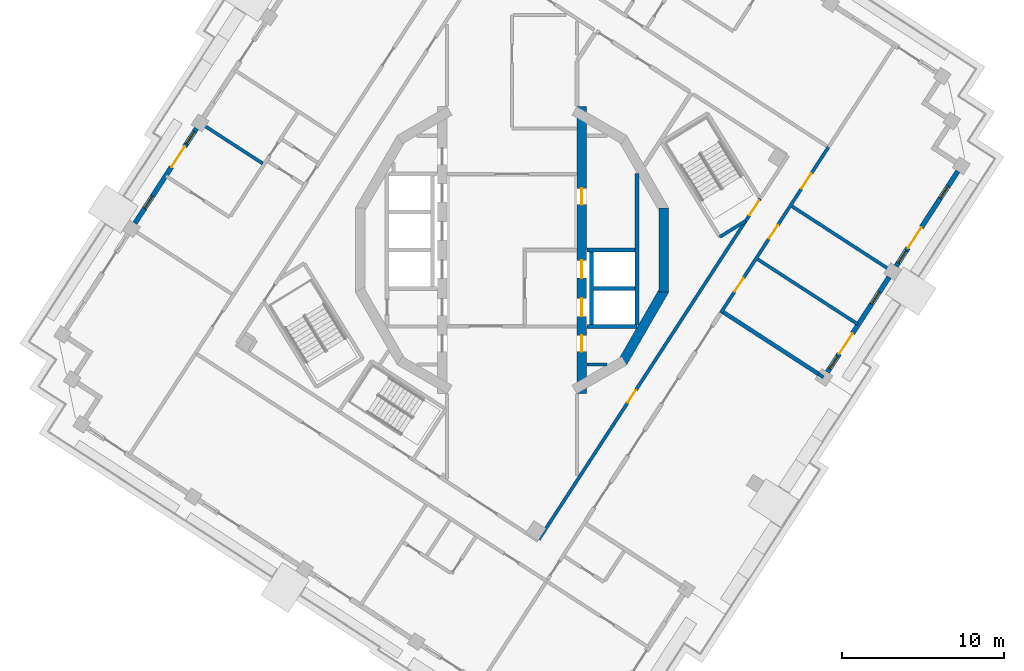
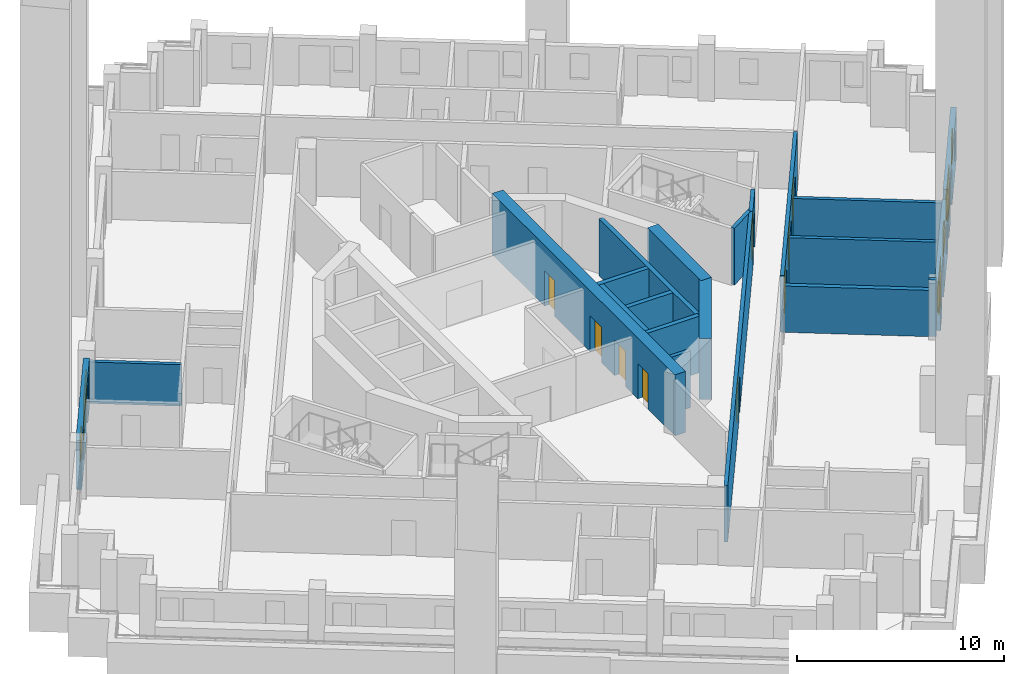
# One storey, part 5 of 15: 21 walls, 12 doors, 6 windows, 18 openings.
"""IFC4 building model written with IfcOpenShell, lengths in metres."""

from ifc_helpers import new_model, si_unit, direction, frame, frame_2d, origin, place, context, subcontext, project, spatial, rectangle, extrude, material, layer, layer_set, type_object, element, fill, save


model = new_model("IFC4")

# Units and contexts
model_context = context("Model", 3, precision=1e-05, world=origin(), true_north=direction((0.0, 1.0)))
body_context = subcontext(model_context, "Body", "Model", "MODEL_VIEW")
ifc_project = project(units=[si_unit("LENGTHUNIT", "METRE"), si_unit("AREAUNIT", "SQUARE_METRE"), si_unit("VOLUMEUNIT", "CUBIC_METRE"), si_unit("PLANEANGLEUNIT", "RADIAN"), si_unit("MASSUNIT", "GRAM", prefix="KILO")], contexts=[model_context])

# Site, building, storey
site_placement = place(None, origin())
site = spatial("IfcSite", under=ifc_project, at=site_placement, CompositionType="ELEMENT")
building_placement = place(site_placement, origin())
building = spatial("IfcBuilding", under=site, at=building_placement, Name="Cantera Rosa Tower", CompositionType="ELEMENT")
storey_placement = place(building_placement, frame((0.0, 0.0, 250.5)))
storey = spatial("IfcBuildingStorey", under=building, at=storey_placement, Name="L55", CompositionType="ELEMENT", Elevation=250.5)

# Wall, opening, door
ifc_material_1 = material(Name="Gypsum board partition")
ifc_layer_1 = layer(ifc_material_1, 0.199951171875)
ifc_layer_set_1 = layer_set([ifc_layer_1], Name="CORRIDOR WALL 200 H3350")
wall_type_1 = type_object("IfcWallType", Name="CORRIDOR WALL 200 H3350", PredefinedType="PARTITIONING", material=ifc_layer_set_1)
wall_1_placement = place(storey_placement, frame((1.656982421875, -17.828857421875, 0.0), z_axis=(0.0, 0.0, 1.0), x_axis=(0.544640309195, 0.838669740482, 0.0)))
wall_1 = element("IfcWall", 1, at=wall_1_placement, inside=storey, type_object=wall_type_1, Name="CORRIDOR WALL L55-057", PredefinedType="PARTITIONING", context=body_context, shape_type="SweptSolid", body=[
    extrude(rectangle(XDim=23.1552734375, YDim=0.199951171875, at=frame_2d((11.57763671875, 0.0))), origin(), (0.0, 0.0, 1.0), 3.35009765625),
])
opening_1_placement = place(wall_1_placement, frame((10.060791015625, 0.0, 0.0)))
opening_1 = element("IfcOpeningElement", 2, at=opening_1_placement, cuts=wall_1, Name="Opening L55-006", PredefinedType="OPENING", context=body_context, shape_type="SweptSolid", body=[
    extrude(rectangle(XDim=0.89990234375, YDim=2.10009765625, at=frame_2d((0.449951171875, 1.050048828125))), frame((0.0, 0.10986328125, 0.0), z_axis=(0.0, -1.0, 0.0), x_axis=(1.0, 0.0, 0.0)), (0.0, 0.0, 1.0), 0.219970703125),
])
ifc_material_2 = material(Name="Timber door leaf", Category="wood")
door_type_1 = type_object("IfcDoorType", Name="SERVICE DOOR 900x2100", OperationType="NOTDEFINED", PredefinedType="DOOR", material=ifc_material_2)
door_1_placement = place(opening_1_placement, origin())
door_1 = element("IfcDoor", 3, at=door_1_placement, inside=storey, type_object=door_type_1, Name="DOOR L55-006", OperationType="NOTDEFINED", OverallHeight=2.10009765625, OverallWidth=0.89990234375, PredefinedType="DOOR", context=body_context, shape_type="SweptSolid", body=[
    extrude(rectangle(XDim=0.89990234375, YDim=2.10009765625, at=frame_2d((0.449951171875, 1.050048828125))), frame((0.0, 0.02490234375, 0.0), z_axis=(0.0, -1.0, 0.0), x_axis=(1.0, 0.0, 0.0)), (0.0, 0.0, 1.0), 0.050048828125),
])
fill(opening_1, door_1)

# Wall, openings, doors
wall_2_placement = place(storey_placement, frame((12.869384765625, -3.8681640625, 0.0), z_axis=(0.0, 0.0, 1.0), x_axis=(0.544640401501, 0.838669680537, 0.0)))
wall_2 = element("IfcWall", 4, at=wall_2_placement, inside=storey, type_object=wall_type_1, Name="CORRIDOR WALL L55-060", PredefinedType="PARTITIONING", context=body_context, shape_type="SweptSolid", body=[
    extrude(rectangle(XDim=12.18505859375, YDim=0.199951171875, at=frame_2d((6.092529296875, 0.0))), origin(), (0.0, 0.0, 1.0), 3.35009765625),
])
opening_2_placement = place(wall_2_placement, frame((1.570068359375, 0.0, 0.0)))
opening_2 = element("IfcOpeningElement", 5, at=opening_2_placement, cuts=wall_2, Name="Opening L55-041", PredefinedType="OPENING", context=body_context, shape_type="SweptSolid", body=[
    extrude(rectangle(XDim=1.0, YDim=2.10009765625, at=frame_2d((0.5, 1.050048828125))), frame((0.0, 0.10986328125, 0.0), z_axis=(0.0, -1.0, 0.0), x_axis=(1.0, 0.0, 0.0)), (0.0, 0.0, 1.0), 0.219970703125),
])
opening_3_placement = place(wall_2_placement, frame((5.4599609375, 0.0, 0.0)))
opening_3 = element("IfcOpeningElement", 6, at=opening_3_placement, cuts=wall_2, Name="Opening L55-042", PredefinedType="OPENING", context=body_context, shape_type="SweptSolid", body=[
    extrude(rectangle(XDim=1.0, YDim=2.10009765625, at=frame_2d((0.5, 1.050048828125))), frame((0.0, 0.10986328125, 0.0), z_axis=(0.0, -1.0, 0.0), x_axis=(1.0, 0.0, 0.0)), (0.0, 0.0, 1.0), 0.219970703125),
])
opening_4_placement = place(wall_2_placement, frame((9.135009765625, 0.0, 0.0)))
opening_4 = element("IfcOpeningElement", 7, at=opening_4_placement, cuts=wall_2, Name="Opening L55-046", PredefinedType="OPENING", context=body_context, shape_type="SweptSolid", body=[
    extrude(rectangle(XDim=1.10009765625, YDim=2.10009765625, at=frame_2d((0.550048828125, 1.050048828125))), frame((0.0, 0.10986328125, 0.0), z_axis=(0.0, -1.0, 0.0), x_axis=(1.0, 0.0, 0.0)), (0.0, 0.0, 1.0), 0.219970703125),
])
ifc_material_3 = material(Name="Timber door leaf", Category="wood")
door_type_2 = type_object("IfcDoorType", Name="ROOM DOOR 1000x2100", OperationType="NOTDEFINED", PredefinedType="DOOR", material=ifc_material_3)
door_2_placement = place(opening_2_placement, origin())
door_2 = element("IfcDoor", 8, at=door_2_placement, inside=storey, type_object=door_type_2, Name="DOOR L55-041", OperationType="NOTDEFINED", OverallHeight=2.10009765625, OverallWidth=1.0, PredefinedType="DOOR", context=body_context, shape_type="SweptSolid", body=[
    extrude(rectangle(XDim=1.0, YDim=2.10009765625, at=frame_2d((0.5, 1.050048828125))), frame((0.0, 0.02490234375, 0.0), z_axis=(0.0, -1.0, 0.0), x_axis=(1.0, 0.0, 0.0)), (0.0, 0.0, 1.0), 0.050048828125),
])
fill(opening_2, door_2)
door_3_placement = place(opening_3_placement, origin())
door_3 = element("IfcDoor", 9, at=door_3_placement, inside=storey, type_object=door_type_2, Name="DOOR L55-042", OperationType="NOTDEFINED", OverallHeight=2.10009765625, OverallWidth=1.0, PredefinedType="DOOR", context=body_context, shape_type="SweptSolid", body=[
    extrude(rectangle(XDim=1.0, YDim=2.10009765625, at=frame_2d((0.5, 1.050048828125))), frame((0.0, 0.02490234375, 0.0), z_axis=(0.0, -1.0, 0.0), x_axis=(1.0, 0.0, 0.0)), (0.0, 0.0, 1.0), 0.050048828125),
])
fill(opening_3, door_3)
ifc_material_4 = material(Name="Timber door leaf", Category="wood")
door_type_3 = type_object("IfcDoorType", Name="ROOM DOOR 1100x2100", OperationType="NOTDEFINED", PredefinedType="DOOR", material=ifc_material_4)
door_4_placement = place(opening_4_placement, origin())
door_4 = element("IfcDoor", 10, at=door_4_placement, inside=storey, type_object=door_type_3, Name="DOOR L55-046", OperationType="NOTDEFINED", OverallHeight=2.10009765625, OverallWidth=1.10009765625, PredefinedType="DOOR", context=body_context, shape_type="SweptSolid", body=[
    extrude(rectangle(XDim=1.10009765625, YDim=2.10009765625, at=frame_2d((0.550048828125, 1.050048828125))), frame((0.0, 0.02490234375, 0.0), z_axis=(0.0, -1.0, 0.0), x_axis=(1.0, 0.0, 0.0)), (0.0, 0.0, 1.0), 0.050048828125),
])
fill(opening_4, door_4)

# Wall, openings, windows, door
ifc_material_5 = material(Name="Hollow clay masonry with cantera stone cladding", Category="masonry")
ifc_layer_2 = layer(ifc_material_5, 0.300048828125)
ifc_layer_set_2 = layer_set([ifc_layer_2], Name="EW-LOGGIA 300 H2890")
wall_type_2 = type_object("IfcWallType", Name="EW-LOGGIA 300 H2890", PredefinedType="SOLIDWALL", material=ifc_layer_set_2)
wall_3_placement = place(storey_placement, frame((-19.4453125, 7.5126953125, 0.0), z_axis=(0.0, 0.0, 1.0), x_axis=(-0.544667428764, -0.838652128146, 0.0)))
wall_3 = element("IfcWall", 11, at=wall_3_placement, inside=storey, type_object=wall_type_2, Name="EN-L55-W10", PredefinedType="SOLIDWALL", context=body_context, shape_type="SweptSolid", body=[
    extrude(rectangle(XDim=6.97998046875, YDim=0.300048828125, at=frame_2d((3.489990234375, 0.0))), origin(), (0.0, 0.0, 1.0), 2.889892578125),
])
opening_5_placement = place(wall_3_placement, frame((0.2451171875, 0.0, 0.89990234375)))
opening_5 = element("IfcOpeningElement", 12, at=opening_5_placement, cuts=wall_3, Name="Opening L55-W22", PredefinedType="OPENING", context=body_context, shape_type="SweptSolid", body=[
    extrude(rectangle(XDim=0.89990234375, YDim=1.5, at=frame_2d((0.449951171875, 0.75))), frame((0.0, 0.159912109375, 0.0), z_axis=(0.0, -1.0, 0.0), x_axis=(1.0, 0.0, 0.0)), (0.0, 0.0, 1.0), 0.320068359375),
])
opening_6_placement = place(wall_3_placement, frame((1.344970703125, 0.0, 0.0)))
opening_6 = element("IfcOpeningElement", 13, at=opening_6_placement, cuts=wall_3, Name="Opening L55-TD23", PredefinedType="OPENING", context=body_context, shape_type="SweptSolid", body=[
    extrude(rectangle(XDim=1.5, YDim=2.39990234375, at=frame_2d((0.75, 1.199951171875))), frame((0.0, 0.159912109375, 0.0), z_axis=(0.0, -1.0, 0.0), x_axis=(1.0, 0.0, 0.0)), (0.0, 0.0, 1.0), 0.320068359375),
])
opening_7_placement = place(wall_3_placement, frame((4.985107421875, 0.0, 0.89990234375)))
opening_7 = element("IfcOpeningElement", 14, at=opening_7_placement, cuts=wall_3, Name="Opening L55-W24", PredefinedType="OPENING", context=body_context, shape_type="SweptSolid", body=[
    extrude(rectangle(XDim=0.89990234375, YDim=1.5, at=frame_2d((0.449951171875, 0.75))), frame((0.0, 0.159912109375, 0.0), z_axis=(0.0, -1.0, 0.0), x_axis=(1.0, 0.0, 0.0)), (0.0, 0.0, 1.0), 0.320068359375),
])
ifc_material_6 = material(Name="Aluminium frame with clear glass", Category="aluminium")
window_type = type_object("IfcWindowType", Name="Residential window 900x1500", PartitioningType="SINGLE_PANEL", PredefinedType="WINDOW", material=ifc_material_6)
window_1_placement = place(opening_5_placement, origin())
window_1 = element("IfcWindow", 15, at=window_1_placement, inside=storey, type_object=window_type, Name="WINDOW L55-W22", OverallHeight=1.5, OverallWidth=0.89990234375, PartitioningType="SINGLE_PANEL", PredefinedType="WINDOW", context=body_context, shape_type="SweptSolid", body=[
    extrude(rectangle(XDim=0.89990234375, YDim=1.5, at=frame_2d((0.449951171875, 0.75))), frame((0.0, 0.030029296875, 0.0), z_axis=(0.0, -1.0, 0.0), x_axis=(1.0, 0.0, 0.0)), (0.0, 0.0, 1.0), 0.06005859375),
])
fill(opening_5, window_1)
window_2_placement = place(opening_7_placement, origin())
window_2 = element("IfcWindow", 16, at=window_2_placement, inside=storey, type_object=window_type, Name="WINDOW L55-W24", OverallHeight=1.5, OverallWidth=0.89990234375, PartitioningType="SINGLE_PANEL", PredefinedType="WINDOW", context=body_context, shape_type="SweptSolid", body=[
    extrude(rectangle(XDim=0.89990234375, YDim=1.5, at=frame_2d((0.449951171875, 0.75))), frame((0.0, 0.030029296875, 0.0), z_axis=(0.0, -1.0, 0.0), x_axis=(1.0, 0.0, 0.0)), (0.0, 0.0, 1.0), 0.06005859375),
])
fill(opening_7, window_2)
ifc_material_7 = material(Name="Aluminium frame with clear glass", Category="aluminium")
door_type_4 = type_object("IfcDoorType", Name="TD-R 1500x2400", OperationType="NOTDEFINED", PredefinedType="DOOR", material=ifc_material_7)
door_5_placement = place(opening_6_placement, origin())
door_5 = element("IfcDoor", 17, at=door_5_placement, inside=storey, type_object=door_type_4, Name="LOGGIA DOOR L55-TD23", OperationType="SLIDING_TO_LEFT", OverallHeight=2.39990234375, OverallWidth=1.5, PredefinedType="DOOR", context=body_context, shape_type="SweptSolid", body=[
    extrude(rectangle(XDim=1.5, YDim=2.39990234375, at=frame_2d((0.75, 1.199951171875))), frame((0.0, 0.02490234375, 0.0), z_axis=(0.0, -1.0, 0.0), x_axis=(1.0, 0.0, 0.0)), (0.0, 0.0, 1.0), 0.050048828125),
])
fill(opening_6, door_5)

wall_4_placement = place(storey_placement, frame((19.4453125, -7.5126953125, 0.0), z_axis=(0.0, 0.0, 1.0), x_axis=(0.544667428764, 0.838652128146, 0.0)))
wall_4 = element("IfcWall", 18, at=wall_4_placement, inside=storey, type_object=wall_type_2, Name="EN-L55-W23", PredefinedType="SOLIDWALL", context=body_context, shape_type="SweptSolid", body=[
    extrude(rectangle(XDim=6.97998046875, YDim=0.300048828125, at=frame_2d((3.489990234375, 0.0))), origin(), (0.0, 0.0, 1.0), 2.889892578125),
])
opening_8_placement = place(wall_4_placement, frame((0.2451171875, 0.0, 0.89990234375)))
opening_8 = element("IfcOpeningElement", 19, at=opening_8_placement, cuts=wall_4, Name="Opening L55-W43", PredefinedType="OPENING", context=body_context, shape_type="SweptSolid", body=[
    extrude(rectangle(XDim=0.89990234375, YDim=1.5, at=frame_2d((0.449951171875, 0.75))), frame((0.0, 0.159912109375, 0.0), z_axis=(0.0, -1.0, 0.0), x_axis=(1.0, 0.0, 0.0)), (0.0, 0.0, 1.0), 0.320068359375),
])
opening_9_placement = place(wall_4_placement, frame((1.344970703125, 0.0, 0.0)))
opening_9 = element("IfcOpeningElement", 20, at=opening_9_placement, cuts=wall_4, Name="Opening L55-TD44", PredefinedType="OPENING", context=body_context, shape_type="SweptSolid", body=[
    extrude(rectangle(XDim=1.5, YDim=2.39990234375, at=frame_2d((0.75, 1.199951171875))), frame((0.0, 0.159912109375, 0.0), z_axis=(0.0, -1.0, 0.0), x_axis=(1.0, 0.0, 0.0)), (0.0, 0.0, 1.0), 0.320068359375),
])
opening_10_placement = place(wall_4_placement, frame((4.985107421875, 0.0, 0.89990234375)))
opening_10 = element("IfcOpeningElement", 21, at=opening_10_placement, cuts=wall_4, Name="Opening L55-W45", PredefinedType="OPENING", context=body_context, shape_type="SweptSolid", body=[
    extrude(rectangle(XDim=0.89990234375, YDim=1.5, at=frame_2d((0.449951171875, 0.75))), frame((0.0, 0.159912109375, 0.0), z_axis=(0.0, -1.0, 0.0), x_axis=(1.0, 0.0, 0.0)), (0.0, 0.0, 1.0), 0.320068359375),
])
window_3_placement = place(opening_8_placement, origin())
window_3 = element("IfcWindow", 22, at=window_3_placement, inside=storey, type_object=window_type, Name="WINDOW L55-W43", OverallHeight=1.5, OverallWidth=0.89990234375, PartitioningType="SINGLE_PANEL", PredefinedType="WINDOW", context=body_context, shape_type="SweptSolid", body=[
    extrude(rectangle(XDim=0.89990234375, YDim=1.5, at=frame_2d((0.449951171875, 0.75))), frame((0.0, 0.030029296875, 0.0), z_axis=(0.0, -1.0, 0.0), x_axis=(1.0, 0.0, 0.0)), (0.0, 0.0, 1.0), 0.06005859375),
])
fill(opening_8, window_3)
window_4_placement = place(opening_10_placement, origin())
window_4 = element("IfcWindow", 23, at=window_4_placement, inside=storey, type_object=window_type, Name="WINDOW L55-W45", OverallHeight=1.5, OverallWidth=0.89990234375, PartitioningType="SINGLE_PANEL", PredefinedType="WINDOW", context=body_context, shape_type="SweptSolid", body=[
    extrude(rectangle(XDim=0.89990234375, YDim=1.5, at=frame_2d((0.449951171875, 0.75))), frame((0.0, 0.030029296875, 0.0), z_axis=(0.0, -1.0, 0.0), x_axis=(1.0, 0.0, 0.0)), (0.0, 0.0, 1.0), 0.06005859375),
])
fill(opening_10, window_4)
door_6_placement = place(opening_9_placement, origin())
door_6 = element("IfcDoor", 24, at=door_6_placement, inside=storey, type_object=door_type_4, Name="LOGGIA DOOR L55-TD44", OperationType="SLIDING_TO_LEFT", OverallHeight=2.39990234375, OverallWidth=1.5, PredefinedType="DOOR", context=body_context, shape_type="SweptSolid", body=[
    extrude(rectangle(XDim=1.5, YDim=2.39990234375, at=frame_2d((0.75, 1.199951171875))), frame((0.0, 0.02490234375, 0.0), z_axis=(0.0, -1.0, 0.0), x_axis=(1.0, 0.0, 0.0)), (0.0, 0.0, 1.0), 0.050048828125),
])
fill(opening_9, door_6)

wall_5_placement = place(storey_placement, frame((23.6826171875, -0.98779296875, 0.0), z_axis=(0.0, 0.0, 1.0), x_axis=(0.544667428764, 0.838652128146, 0.0)))
wall_5 = element("IfcWall", 25, at=wall_5_placement, inside=storey, type_object=wall_type_2, Name="EN-L55-W24", PredefinedType="SOLIDWALL", context=body_context, shape_type="SweptSolid", body=[
    extrude(rectangle(XDim=6.97998046875, YDim=0.300048828125, at=frame_2d((3.489990234375, 0.0))), origin(), (0.0, 0.0, 1.0), 2.889892578125),
])
opening_11_placement = place(wall_5_placement, frame((0.2451171875, 0.0, 0.89990234375)))
opening_11 = element("IfcOpeningElement", 26, at=opening_11_placement, cuts=wall_5, Name="Opening L55-W46", PredefinedType="OPENING", context=body_context, shape_type="SweptSolid", body=[
    extrude(rectangle(XDim=0.89990234375, YDim=1.5, at=frame_2d((0.449951171875, 0.75))), frame((0.0, 0.159912109375, 0.0), z_axis=(0.0, -1.0, 0.0), x_axis=(1.0, 0.0, 0.0)), (0.0, 0.0, 1.0), 0.320068359375),
])
opening_12_placement = place(wall_5_placement, frame((1.344970703125, 0.0, 0.0)))
opening_12 = element("IfcOpeningElement", 27, at=opening_12_placement, cuts=wall_5, Name="Opening L55-TD47", PredefinedType="OPENING", context=body_context, shape_type="SweptSolid", body=[
    extrude(rectangle(XDim=1.5, YDim=2.39990234375, at=frame_2d((0.75, 1.199951171875))), frame((0.0, 0.159912109375, 0.0), z_axis=(0.0, -1.0, 0.0), x_axis=(1.0, 0.0, 0.0)), (0.0, 0.0, 1.0), 0.320068359375),
])
opening_13_placement = place(wall_5_placement, frame((4.985107421875, 0.0, 0.89990234375)))
opening_13 = element("IfcOpeningElement", 28, at=opening_13_placement, cuts=wall_5, Name="Opening L55-W48", PredefinedType="OPENING", context=body_context, shape_type="SweptSolid", body=[
    extrude(rectangle(XDim=0.89990234375, YDim=1.5, at=frame_2d((0.449951171875, 0.75))), frame((0.0, 0.159912109375, 0.0), z_axis=(0.0, -1.0, 0.0), x_axis=(1.0, 0.0, 0.0)), (0.0, 0.0, 1.0), 0.320068359375),
])
window_5_placement = place(opening_11_placement, origin())
window_5 = element("IfcWindow", 29, at=window_5_placement, inside=storey, type_object=window_type, Name="WINDOW L55-W46", OverallHeight=1.5, OverallWidth=0.89990234375, PartitioningType="SINGLE_PANEL", PredefinedType="WINDOW", context=body_context, shape_type="SweptSolid", body=[
    extrude(rectangle(XDim=0.89990234375, YDim=1.5, at=frame_2d((0.449951171875, 0.75))), frame((0.0, 0.030029296875, 0.0), z_axis=(0.0, -1.0, 0.0), x_axis=(1.0, 0.0, 0.0)), (0.0, 0.0, 1.0), 0.06005859375),
])
fill(opening_11, window_5)
window_6_placement = place(opening_13_placement, origin())
window_6 = element("IfcWindow", 30, at=window_6_placement, inside=storey, type_object=window_type, Name="WINDOW L55-W48", OverallHeight=1.5, OverallWidth=0.89990234375, PartitioningType="SINGLE_PANEL", PredefinedType="WINDOW", context=body_context, shape_type="SweptSolid", body=[
    extrude(rectangle(XDim=0.89990234375, YDim=1.5, at=frame_2d((0.449951171875, 0.75))), frame((0.0, 0.030029296875, 0.0), z_axis=(0.0, -1.0, 0.0), x_axis=(1.0, 0.0, 0.0)), (0.0, 0.0, 1.0), 0.06005859375),
])
fill(opening_13, window_6)
door_7_placement = place(opening_12_placement, origin())
door_7 = element("IfcDoor", 31, at=door_7_placement, inside=storey, type_object=door_type_4, Name="LOGGIA DOOR L55-TD47", OperationType="SLIDING_TO_LEFT", OverallHeight=2.39990234375, OverallWidth=1.5, PredefinedType="DOOR", context=body_context, shape_type="SweptSolid", body=[
    extrude(rectangle(XDim=1.5, YDim=2.39990234375, at=frame_2d((0.75, 1.199951171875))), frame((0.0, 0.02490234375, 0.0), z_axis=(0.0, -1.0, 0.0), x_axis=(1.0, 0.0, 0.0)), (0.0, 0.0, 1.0), 0.050048828125),
])
fill(opening_12, door_7)

# Walls
ifc_material_8 = material(Name="Concrete C40/50", Category="concrete")
ifc_layer_3 = layer(ifc_material_8, 0.25)
ifc_layer_set_3 = layer_set([ifc_layer_3], Name="EW-POCKET CHEEK 250 H2735")
wall_type_3 = type_object("IfcWallType", Name="EW-POCKET CHEEK 250 H2735", PredefinedType="SOLIDWALL", material=ifc_layer_set_3)
wall_6_placement = place(storey_placement, frame((18.89208984375, -7.63037109375, 0.0), z_axis=(0.0, 0.0, 1.0), x_axis=(-0.838665071449, 0.544647498784, 0.0)))
element("IfcWall", 32, at=wall_6_placement, inside=storey, type_object=wall_type_3, Name="POCKET CHEEK B L55", PredefinedType="SOLIDWALL", context=body_context, shape_type="SweptSolid", body=[
    extrude(rectangle(XDim=7.0, YDim=0.25, at=frame_2d((3.5, 0.0))), origin(), (0.0, 0.0, 1.0), 2.735107421875),
])
ifc_material_9 = material(Name="Gypsum board partition")
ifc_layer_4 = layer(ifc_material_9, 0.199951171875)
ifc_layer_set_4 = layer_set([ifc_layer_4], Name="PARTITION 200 H2450")
wall_type_4 = type_object("IfcWallType", Name="PARTITION 200 H2450", PredefinedType="PARTITIONING", material=ifc_layer_set_4)
wall_7_placement = place(storey_placement, frame((-15.36962890625, 5.343017578125, 0.0), z_axis=(0.0, 0.0, 1.0), x_axis=(-0.838696184812, 0.544599586469, 0.0)))
element("IfcWall", 33, at=wall_7_placement, inside=storey, type_object=wall_type_4, Name="PARTITION L55-010", PredefinedType="PARTITIONING", context=body_context, shape_type="SweptSolid", body=[
    extrude(rectangle(XDim=4.56982421875, YDim=0.199951171875, at=frame_2d((2.284912109375, 0.0))), origin(), (0.0, 0.0, 1.0), 2.449951171875),
])
wall_8_placement = place(storey_placement, frame((17.275390625, 2.696044921875, 0.0), z_axis=(0.0, 0.0, 1.0), x_axis=(0.838684106336, -0.544618187155, 0.0)))
element("IfcWall", 34, at=wall_8_placement, inside=storey, type_object=wall_type_4, Name="PARTITION L55-096", PredefinedType="PARTITIONING", context=body_context, shape_type="SweptSolid", body=[
    extrude(rectangle(XDim=7.349853515625, YDim=0.199951171875, at=frame_2d((3.6748046875, 0.0))), origin(), (0.0, 0.0, 1.0), 2.449951171875),
])
ifc_material_10 = material(Name="Gypsum board partition")
ifc_layer_5 = layer(ifc_material_10, 0.199951171875)
ifc_layer_set_5 = layer_set([ifc_layer_5], Name="PARTITION 200 H2850")
wall_type_5 = type_object("IfcWallType", Name="PARTITION 200 H2850", PredefinedType="PARTITIONING", material=ifc_layer_set_5)
wall_9_placement = place(storey_placement, frame((15.15673828125, -0.56640625, 0.0), z_axis=(0.0, 0.0, 1.0), x_axis=(0.838684106336, -0.544618187155, 0.0)))
element("IfcWall", 35, at=wall_9_placement, inside=storey, type_object=wall_type_5, Name="PARTITION L55-092", PredefinedType="PARTITIONING", context=body_context, shape_type="SweptSolid", body=[
    extrude(rectangle(XDim=7.349853515625, YDim=0.199951171875, at=frame_2d((3.6748046875, 0.0))), origin(), (0.0, 0.0, 1.0), 2.85009765625),
])
ifc_material_11 = material(Name="Gypsum board partition")
ifc_layer_6 = layer(ifc_material_11, 0.199951171875)
ifc_layer_set_6 = layer_set([ifc_layer_6], Name="PARTITION 200 H3350")
wall_type_6 = type_object("IfcWallType", Name="PARTITION 200 H3350", PredefinedType="PARTITIONING", material=ifc_layer_set_6)
wall_10_placement = place(storey_placement, frame((5.84765625, -7.050048828125, 0.0), z_axis=(0.0, 0.0, 1.0), x_axis=(-1.0, 0.0, 0.0)))
element("IfcWall", 36, at=wall_10_placement, inside=storey, type_object=wall_type_6, Name="PARTITION L55-077", PredefinedType="PARTITIONING", context=body_context, shape_type="SweptSolid", body=[
    extrude(rectangle(XDim=1.2177734375, YDim=0.199951171875, at=frame_2d((0.60888671875, 0.0))), origin(), (0.0, 0.0, 1.0), 3.35009765625),
])
wall_11_placement = place(storey_placement, frame((19.202392578125, -7.831787109375, 0.0), z_axis=(0.0, 0.0, 1.0), x_axis=(-0.838790236691, 0.544454716971, 0.0)))
element("IfcWall", 37, at=wall_11_placement, inside=storey, type_object=wall_type_6, Name="PARTITION L55-097", PredefinedType="PARTITIONING", context=body_context, shape_type="SweptSolid", body=[
    extrude(rectangle(XDim=0.369873046875, YDim=0.199951171875, at=frame_2d((0.18505859375, 0.0))), origin(), (0.0, 0.0, 1.0), 3.35009765625),
])
ifc_material_12 = material(Name="Concrete C50/60", Category="concrete")
ifc_layer_7 = layer(ifc_material_12, 0.60009765625)
ifc_layer_set_7 = layer_set([ifc_layer_7], Name="RC CORE WALL 600 C50/60")
wall_type_7 = type_object("IfcWallType", Name="RC CORE WALL 600 C50/60", PredefinedType="SHEAR", material=ifc_layer_set_7)
for number, where, z_axis, x_axis, name in (
    (38, (9.359375, 2.588134765625, 0.0), (0.0, 0.0, 1.0), (0.0, -1.0, 0.0), "CW-E3 L55"),
    (39, (9.3994140625, -2.438232421875, 0.0), (0.0, 0.0, 1.0), (-0.499989188378, -0.866031645787, 0.0), "CW-E4 L55"),
):
    element("IfcWall", number, at=place(storey_placement, frame(where, z_axis=z_axis, x_axis=x_axis)), inside=storey, type_object=wall_type_7, Name=name, PredefinedType="SHEAR", context=body_context, shape_type="SweptSolid", body=[
        extrude(rectangle(XDim=5.17626953125, YDim=0.60009765625, at=frame_2d((2.588134765625, 0.0))), origin(), (0.0, 0.0, 1.0), 3.60009765625),
    ])

# Wall, openings, doors
wall_12_placement = place(storey_placement, frame((4.300048828125, -8.84423828125, 0.0), z_axis=(0.0, 0.0, 1.0), x_axis=(0.0, 1.0, 0.0)))
wall_12 = element("IfcWall", 40, at=wall_12_placement, inside=storey, type_object=wall_type_7, Name="CW-E6 L55", PredefinedType="SHEAR", context=body_context, shape_type="SweptSolid", body=[
    extrude(rectangle(XDim=17.6884765625, YDim=0.60009765625, at=frame_2d((8.84423828125, 0.0))), origin(), (0.0, 0.0, 1.0), 3.60009765625),
])
opening_14_placement = place(wall_12_placement, frame((4.76904296875, 0.0, 0.0)))
opening_14 = element("IfcOpeningElement", 41, at=opening_14_placement, cuts=wall_12, Name="Opening LD-FF1-L55", PredefinedType="OPENING", context=body_context, shape_type="SweptSolid", body=[
    extrude(rectangle(XDim=1.10009765625, YDim=2.10009765625, at=frame_2d((0.550048828125, 1.050048828125))), frame((0.0, 0.31005859375, 0.0), z_axis=(0.0, -1.0, 0.0), x_axis=(1.0, 0.0, 0.0)), (0.0, 0.0, 1.0), 0.6201171875),
])
opening_15_placement = place(wall_12_placement, frame((7.119140625, 0.0, 0.0)))
opening_15 = element("IfcOpeningElement", 42, at=opening_15_placement, cuts=wall_12, Name="Opening LD-FF2-L55", PredefinedType="OPENING", context=body_context, shape_type="SweptSolid", body=[
    extrude(rectangle(XDim=1.10009765625, YDim=2.10009765625, at=frame_2d((0.550048828125, 1.050048828125))), frame((0.0, 0.31005859375, 0.0), z_axis=(0.0, -1.0, 0.0), x_axis=(1.0, 0.0, 0.0)), (0.0, 0.0, 1.0), 0.6201171875),
])
opening_16_placement = place(wall_12_placement, frame((2.5966796875, 0.0, 0.0)))
opening_16 = element("IfcOpeningElement", 43, at=opening_16_placement, cuts=wall_12, Name="Opening SD-L55-17", PredefinedType="OPENING", context=body_context, shape_type="SweptSolid", body=[
    extrude(rectangle(XDim=1.0, YDim=2.10009765625, at=frame_2d((0.5, 1.050048828125))), frame((0.0, 0.31005859375, 0.0), z_axis=(0.0, -1.0, 0.0), x_axis=(1.0, 0.0, 0.0)), (0.0, 0.0, 1.0), 0.6201171875),
])
opening_17_placement = place(wall_12_placement, frame((11.6494140625, 0.0, 0.0)))
opening_17 = element("IfcOpeningElement", 44, at=opening_17_placement, cuts=wall_12, Name="Opening SD-L55-18", PredefinedType="OPENING", context=body_context, shape_type="SweptSolid", body=[
    extrude(rectangle(XDim=1.0, YDim=2.10009765625, at=frame_2d((0.5, 1.050048828125))), frame((0.0, 0.31005859375, 0.0), z_axis=(0.0, -1.0, 0.0), x_axis=(1.0, 0.0, 0.0)), (0.0, 0.0, 1.0), 0.6201171875),
])
ifc_material_13 = material(Name="Steel S355J2 (EN 10025-2)", Category="steel")
door_type_5 = type_object("IfcDoorType", Name="LANDING DOOR 1100x2100", OperationType="NOTDEFINED", PredefinedType="DOOR", material=ifc_material_13)
door_8_placement = place(opening_14_placement, origin())
door_8 = element("IfcDoor", 45, at=door_8_placement, inside=storey, type_object=door_type_5, Name="LANDING DOOR FF1 L55", OperationType="SLIDING_TO_LEFT", OverallHeight=2.10009765625, OverallWidth=1.10009765625, PredefinedType="DOOR", context=body_context, shape_type="SweptSolid", body=[
    extrude(rectangle(XDim=1.10009765625, YDim=2.10009765625, at=frame_2d((0.550048828125, 1.050048828125))), frame((0.0, 0.02490234375, 0.0), z_axis=(0.0, -1.0, 0.0), x_axis=(1.0, 0.0, 0.0)), (0.0, 0.0, 1.0), 0.050048828125),
])
fill(opening_14, door_8)
door_9_placement = place(opening_15_placement, origin())
door_9 = element("IfcDoor", 46, at=door_9_placement, inside=storey, type_object=door_type_5, Name="LANDING DOOR FF2 L55", OperationType="SLIDING_TO_LEFT", OverallHeight=2.10009765625, OverallWidth=1.10009765625, PredefinedType="DOOR", context=body_context, shape_type="SweptSolid", body=[
    extrude(rectangle(XDim=1.10009765625, YDim=2.10009765625, at=frame_2d((0.550048828125, 1.050048828125))), frame((0.0, 0.02490234375, 0.0), z_axis=(0.0, -1.0, 0.0), x_axis=(1.0, 0.0, 0.0)), (0.0, 0.0, 1.0), 0.050048828125),
])
fill(opening_15, door_9)
ifc_material_14 = material(Name="Timber door leaf", Category="wood")
door_type_6 = type_object("IfcDoorType", Name="SERVICE DOOR 1000x2100", OperationType="NOTDEFINED", PredefinedType="DOOR", material=ifc_material_14)
door_10_placement = place(opening_16_placement, origin())
door_10 = element("IfcDoor", 47, at=door_10_placement, inside=storey, type_object=door_type_6, Name="DOOR L55-SD17", OperationType="NOTDEFINED", OverallHeight=2.10009765625, OverallWidth=1.0, PredefinedType="DOOR", context=body_context, shape_type="SweptSolid", body=[
    extrude(rectangle(XDim=1.0, YDim=2.10009765625, at=frame_2d((0.5, 1.050048828125))), frame((0.0, 0.02490234375, 0.0), z_axis=(0.0, -1.0, 0.0), x_axis=(1.0, 0.0, 0.0)), (0.0, 0.0, 1.0), 0.050048828125),
])
fill(opening_16, door_10)
door_11_placement = place(opening_17_placement, origin())
door_11 = element("IfcDoor", 48, at=door_11_placement, inside=storey, type_object=door_type_6, Name="DOOR L55-SD18", OperationType="NOTDEFINED", OverallHeight=2.10009765625, OverallWidth=1.0, PredefinedType="DOOR", context=body_context, shape_type="SweptSolid", body=[
    extrude(rectangle(XDim=1.0, YDim=2.10009765625, at=frame_2d((0.5, 1.050048828125))), frame((0.0, 0.02490234375, 0.0), z_axis=(0.0, -1.0, 0.0), x_axis=(1.0, 0.0, 0.0)), (0.0, 0.0, 1.0), 0.050048828125),
])
fill(opening_17, door_11)

# Walls
ifc_material_15 = material(Name="Masonry blockwork", Category="masonry")
ifc_layer_8 = layer(ifc_material_15, 0.25)
ifc_layer_set_8 = layer_set([ifc_layer_8], Name="SHAFT WALL 250 H3350")
wall_type_8 = type_object("IfcWallType", Name="SHAFT WALL 250 H3350", PredefinedType="SOLIDWALL", material=ifc_layer_set_8)
wall_13_placement = place(storey_placement, frame((4.6298828125, 0.0, 0.0), z_axis=(0.0, 0.0, 1.0), x_axis=(1.0, 0.0, 0.0)))
element("IfcWall", 49, at=wall_13_placement, inside=storey, type_object=wall_type_8, Name="SHAFT WALL L55-071", PredefinedType="SOLIDWALL", context=body_context, shape_type="SweptSolid", body=[
    extrude(rectangle(XDim=2.945068359375, YDim=0.25, at=frame_2d((1.47265625, 0.0))), origin(), (0.0, 0.0, 1.0), 3.35009765625),
])
wall_14_placement = place(storey_placement, frame((4.89990234375, -0.125, 0.0), z_axis=(0.0, 0.0, 1.0), x_axis=(0.0, -1.0, 0.0)))
element("IfcWall", 50, at=wall_14_placement, inside=storey, type_object=wall_type_8, Name="SHAFT WALL L55-073", PredefinedType="SOLIDWALL", context=body_context, shape_type="SweptSolid", body=[
    extrude(rectangle(XDim=4.449951171875, YDim=0.25, at=frame_2d((2.22509765625, 0.0))), origin(), (0.0, 0.0, 1.0), 3.35009765625),
])
wall_15_placement = place(storey_placement, frame((7.699951171875, -4.699951171875, 0.0), z_axis=(0.0, 0.0, 1.0), x_axis=(-1.0, 0.0, 0.0)))
element("IfcWall", 51, at=wall_15_placement, inside=storey, type_object=wall_type_8, Name="SHAFT WALL L55-079", PredefinedType="SOLIDWALL", context=body_context, shape_type="SweptSolid", body=[
    extrude(rectangle(XDim=3.070068359375, YDim=0.25, at=frame_2d((1.53515625, 0.0))), origin(), (0.0, 0.0, 1.0), 3.35009765625),
])
wall_16_placement = place(storey_placement, frame((7.699951171875, -4.580078125, 0.0), z_axis=(0.0, 0.0, 1.0), x_axis=(0.0, 1.0, 0.0)))
element("IfcWall", 52, at=wall_16_placement, inside=storey, type_object=wall_type_8, Name="SHAFT WALL L55-080", PredefinedType="SOLIDWALL", context=body_context, shape_type="SweptSolid", body=[
    extrude(rectangle(XDim=9.3017578125, YDim=0.25, at=frame_2d((4.65087890625, 0.0))), origin(), (0.0, 0.0, 1.0), 3.35009765625),
])
wall_17_placement = place(storey_placement, frame((7.574951171875, -2.35009765625, 0.0), z_axis=(0.0, 0.0, 1.0), x_axis=(-1.0, 0.0, 0.0)))
element("IfcWall", 53, at=wall_17_placement, inside=storey, type_object=wall_type_8, Name="SHAFT WALL L55-081", PredefinedType="SOLIDWALL", context=body_context, shape_type="SweptSolid", body=[
    extrude(rectangle(XDim=2.554931640625, YDim=0.25, at=frame_2d((1.27734375, 0.0))), origin(), (0.0, 0.0, 1.0), 3.35009765625),
])
ifc_material_16 = material(Name="Concrete C50/60", Category="concrete")
ifc_layer_9 = layer(ifc_material_16, 0.199951171875)
ifc_layer_set_9 = layer_set([ifc_layer_9], Name="STAIR WALL 200 H3350")
wall_type_9 = type_object("IfcWallType", Name="STAIR WALL 200 H3350", PredefinedType="SOLIDWALL", material=ifc_layer_set_9)
wall_18_placement = place(storey_placement, frame((12.811279296875, 0.818359375, 0.0), z_axis=(0.0, 0.0, 1.0), x_axis=(0.851125244186, 0.524962683158, 0.0)))
element("IfcWall", 54, at=wall_18_placement, inside=storey, type_object=wall_type_9, Name="STAIR WALL L55-090", PredefinedType="SOLIDWALL", context=body_context, shape_type="SweptSolid", body=[
    extrude(rectangle(XDim=1.872802734375, YDim=0.199951171875, at=frame_2d((0.9365234375, 0.0))), origin(), (0.0, 0.0, 1.0), 3.35009765625),
])

# Wall, opening, door
wall_19_placement = place(storey_placement, frame((14.268310546875, 1.5908203125, 0.0), z_axis=(0.0, 0.0, 1.0), x_axis=(0.544651565877, 0.838662430176, 0.0)))
wall_19 = element("IfcWall", 55, at=wall_19_placement, inside=storey, type_object=wall_type_9, Name="STAIR WALL L55-091", PredefinedType="SOLIDWALL", context=body_context, shape_type="SweptSolid", body=[
    extrude(rectangle(XDim=1.8857421875, YDim=0.199951171875, at=frame_2d((0.94287109375, 0.0))), origin(), (0.0, 0.0, 1.0), 3.35009765625),
])
opening_18_placement = place(wall_19_placement, frame((0.6689453125, 0.0, 0.0)))
opening_18 = element("IfcOpeningElement", 56, at=opening_18_placement, cuts=wall_19, Name="Opening L55-001", PredefinedType="OPENING", context=body_context, shape_type="SweptSolid", body=[
    extrude(rectangle(XDim=1.10009765625, YDim=2.10009765625, at=frame_2d((0.550048828125, 1.050048828125))), frame((0.0, 0.10986328125, 0.0), z_axis=(0.0, -1.0, 0.0), x_axis=(1.0, 0.0, 0.0)), (0.0, 0.0, 1.0), 0.219970703125),
])
ifc_material_17 = material(Name="Steel S355J2 (EN 10025-2)", Category="steel")
door_type_7 = type_object("IfcDoorType", Name="STAIR DOOR 1100x2100", OperationType="NOTDEFINED", PredefinedType="DOOR", material=ifc_material_17)
door_12_placement = place(opening_18_placement, origin())
door_12 = element("IfcDoor", 57, at=door_12_placement, inside=storey, type_object=door_type_7, Name="DOOR L55-001", OperationType="NOTDEFINED", OverallHeight=2.10009765625, OverallWidth=1.10009765625, PredefinedType="DOOR", context=body_context, shape_type="SweptSolid", body=[
    extrude(rectangle(XDim=1.10009765625, YDim=2.10009765625, at=frame_2d((0.550048828125, 1.050048828125))), frame((0.0, 0.02490234375, 0.0), z_axis=(0.0, -1.0, 0.0), x_axis=(1.0, 0.0, 0.0)), (0.0, 0.0, 1.0), 0.050048828125),
])
fill(opening_18, door_12)

save(model, "model.ifc")
